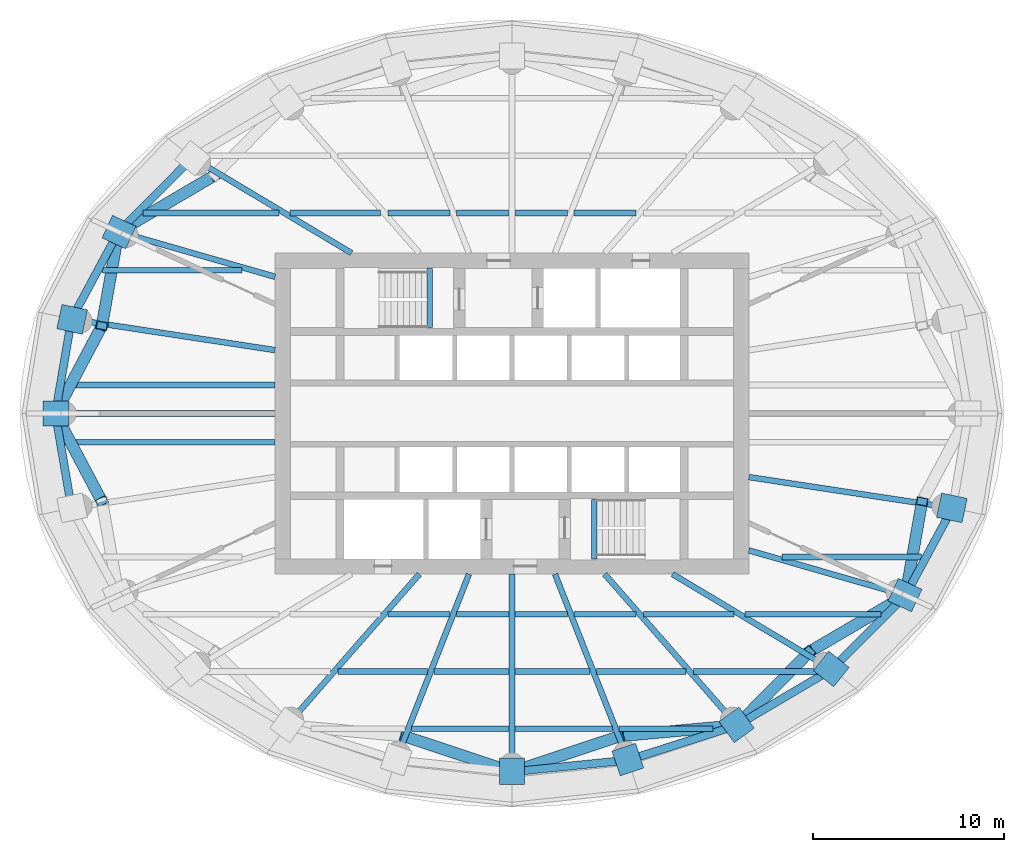
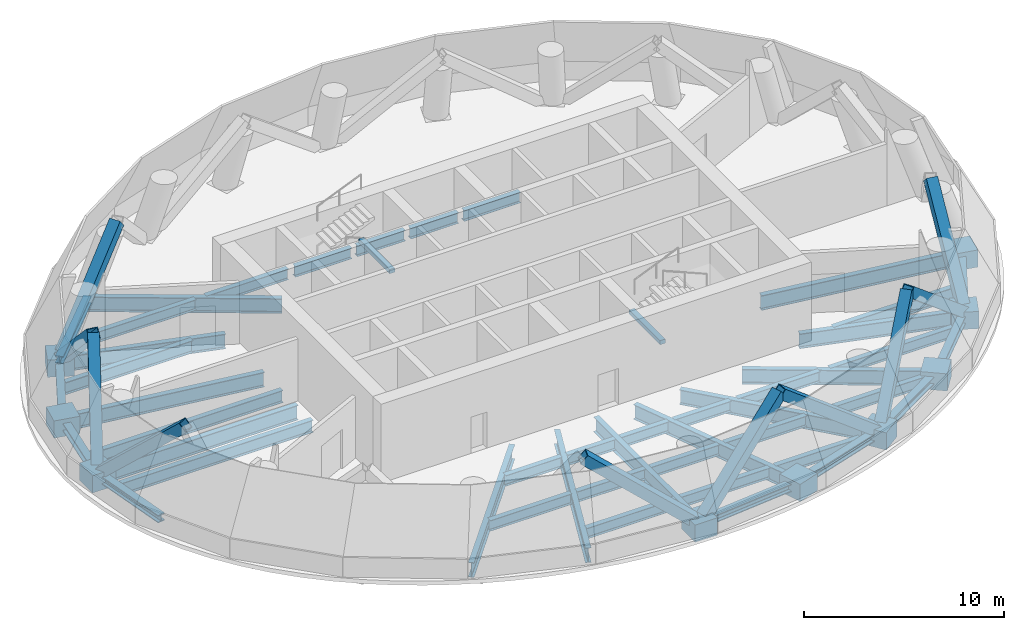
# One storey, part 2 of 7: 56 beams, 10 members.
"""IFC4 building model written with IfcOpenShell, lengths in metres."""

from ifc_helpers import new_model, si_unit, direction, frame, origin, origin_2d, place, context, subcontext, project, spatial, rectangle, hollow_rectangle, i_section, extrude, material, material_profile, profile_set, type_object, element, save


model = new_model("IFC4")

# Units and contexts
model_context = context("Model", 3, precision=1e-05, world=origin(), true_north=direction((0.0, 1.0)))
body_context = subcontext(model_context, "Body", "Model", "MODEL_VIEW")
ifc_project = project(units=[si_unit("LENGTHUNIT", "METRE"), si_unit("AREAUNIT", "SQUARE_METRE"), si_unit("VOLUMEUNIT", "CUBIC_METRE"), si_unit("PLANEANGLEUNIT", "RADIAN"), si_unit("MASSUNIT", "GRAM", prefix="KILO")], contexts=[model_context])

# Site, building, storey
site_placement = place(None, origin())
site = spatial("IfcSite", under=ifc_project, at=site_placement, CompositionType="ELEMENT")
building_placement = place(site_placement, origin())
building = spatial("IfcBuilding", under=site, at=building_placement, Name="Hankou Lantern Tower", CompositionType="ELEMENT")
storey_placement = place(building_placement, frame((0.0, 0.0, 138.60009765625)))
storey = spatial("IfcBuildingStorey", under=building, at=storey_placement, Name="L36", CompositionType="ELEMENT", Elevation=138.60009765625)

# Members
ifc_material_1 = material(Name="Steel Q390GJ", Category="steel")
ifc_material_profile_1 = material_profile(ifc_material_1, hollow_rectangle(XDim=0.60009765625, YDim=0.60009765625, WallThickness=0.0400390625, at=origin_2d()), Name="BOX600x600x40")
ifc_profile_set_1 = profile_set([ifc_material_profile_1], Name="Steel Q390GJ")
member_type = type_object("IfcMemberType", Name="BD1 BELT TRUSS DIAGONAL BOX600x600x40", PredefinedType="BRACE", material=ifc_profile_set_1)
member_1_placement = place(storey_placement, frame((-20.595703125, 9.5126953125, -0.464111328125), z_axis=(0.661347631005, 0.388445233075, 0.6416616023), x_axis=(-0.506455512251, 0.862266092405, 0.0)))
element("IfcMember", 1, at=member_1_placement, inside=storey, type_object=member_type, Name="Belt truss diagonal bay R10 L36", PredefinedType="BRACE", context=body_context, shape_type="SweptSolid", body=[
    extrude(hollow_rectangle(XDim=0.60009765625, YDim=0.60009765625, WallThickness=0.0400390625, at=origin_2d()), origin(), (0.0, 0.0, 1.0), 7.58984375),
])
member_2_placement = place(storey_placement, frame((-20.595703125, 9.5126953125, -0.464111328125), z_axis=(-0.124362724822, -0.7046053677, 0.698616624826), x_axis=(0.984778630802, -0.17381325702, 0.0)))
element("IfcMember", 2, at=member_2_placement, inside=storey, type_object=member_type, Name="Belt truss diagonal bay R11 L36", PredefinedType="BRACE", context=body_context, shape_type="SweptSolid", body=[
    extrude(hollow_rectangle(XDim=0.60009765625, YDim=0.60009765625, WallThickness=0.0400390625, at=origin_2d()), origin(), (0.0, 0.0, 1.0), 6.97119140625),
])
for number, where, z_axis, x_axis, name in (
    (3, (-23.89990234375, 0.0, -0.464111328125), (0.341868121713, 0.645347566232, 0.68311983291), (-0.883666983267, 0.468116078215, 0.0), "Belt truss diagonal bay R12 L36"),
    (4, (-23.89990234375, 0.0, -0.464111328125), (0.341868121713, -0.645347566232, 0.68311983291), (0.883666983267, 0.468116078215, 0.0), "Belt truss diagonal bay R13 L36"),
):
    element("IfcMember", number, at=place(storey_placement, frame(where, z_axis=z_axis, x_axis=x_axis)), inside=storey, type_object=member_type, Name=name, PredefinedType="BRACE", context=body_context, shape_type="SweptSolid", body=[
        extrude(hollow_rectangle(XDim=0.60009765625, YDim=0.60009765625, WallThickness=0.0400390625, at=origin_2d()), origin(), (0.0, 0.0, 1.0), 7.129150390625),
    ])
for number, where, z_axis, x_axis, name in (
    (5, (0.0, -18.75, -0.464111328125), (-0.734822034242, 0.243417336211, 0.633075491883), (-0.314456093252, -0.949272018663, 0.0), "Belt truss diagonal bay R18 L36"),
    (6, (0.0, -18.75, -0.464111328125), (0.734822034242, 0.243417336211, 0.633075491883), (-0.314456093252, 0.949272018663, 0.0), "Belt truss diagonal bay R19 L36"),
):
    element("IfcMember", number, at=place(storey_placement, frame(where, z_axis=z_axis, x_axis=x_axis)), inside=storey, type_object=member_type, Name=name, PredefinedType="BRACE", context=body_context, shape_type="SweptSolid", body=[
        extrude(hollow_rectangle(XDim=0.60009765625, YDim=0.60009765625, WallThickness=0.0400390625, at=origin_2d()), origin(), (0.0, 0.0, 1.0), 7.69287109375),
    ])
member_3_placement = place(storey_placement, frame((11.775390625, -16.31640625, -0.464111328125), z_axis=(-0.780602595424, -0.071529817541, 0.620921148956), x_axis=(0.091251790565, -0.99582785195, 0.0)))
element("IfcMember", 7, at=member_3_placement, inside=storey, type_object=member_type, Name="Belt truss diagonal bay R20 L36", PredefinedType="BRACE", context=body_context, shape_type="SweptSolid", body=[
    extrude(hollow_rectangle(XDim=0.60009765625, YDim=0.60009765625, WallThickness=0.0400390625, at=origin_2d()), origin(), (0.0, 0.0, 1.0), 7.84326171875),
])
member_4_placement = place(storey_placement, frame((11.775390625, -16.31640625, -0.464111328125), z_axis=(0.52193655794, 0.529446436471, 0.668781504225), x_axis=(-0.71213937732, 0.702038109557, 0.0)))
element("IfcMember", 8, at=member_4_placement, inside=storey, type_object=member_type, Name="Belt truss diagonal bay R21 L36", PredefinedType="BRACE", context=body_context, shape_type="SweptSolid", body=[
    extrude(hollow_rectangle(XDim=0.60009765625, YDim=0.60009765625, WallThickness=0.0400390625, at=origin_2d()), origin(), (0.0, 0.0, 1.0), 7.281982421875),
])
member_5_placement = place(storey_placement, frame((20.595703125, -9.5126953125, -0.464111328125), z_axis=(-0.661347631005, -0.388445233075, 0.6416616023), x_axis=(0.506455512251, -0.862266092405, 0.0)))
element("IfcMember", 9, at=member_5_placement, inside=storey, type_object=member_type, Name="Belt truss diagonal bay R22 L36", PredefinedType="BRACE", context=body_context, shape_type="SweptSolid", body=[
    extrude(hollow_rectangle(XDim=0.60009765625, YDim=0.60009765625, WallThickness=0.0400390625, at=origin_2d()), origin(), (0.0, 0.0, 1.0), 7.58984375),
])
member_6_placement = place(storey_placement, frame((20.595703125, -9.5126953125, -0.464111328125), z_axis=(0.124362724822, 0.7046053677, 0.698616624826), x_axis=(-0.984778630802, 0.17381325702, 0.0)))
element("IfcMember", 10, at=member_6_placement, inside=storey, type_object=member_type, Name="Belt truss diagonal bay R23 L36", PredefinedType="BRACE", context=body_context, shape_type="SweptSolid", body=[
    extrude(hollow_rectangle(XDim=0.60009765625, YDim=0.60009765625, WallThickness=0.0400390625, at=origin_2d()), origin(), (0.0, 0.0, 1.0), 6.97119140625),
])

# Beams
ifc_material_2 = material(Name="Steel Q355B", Category="steel")
ifc_material_profile_2 = material_profile(ifc_material_2, i_section(OverallWidth=0.4169921875, OverallDepth=0.4580078125, WebThickness=0.030029296875, FlangeThickness=0.050048828125, FilletRadius=0.02197265625, at=origin_2d()), Name="HW458x417x30x50")
ifc_profile_set_2 = profile_set([ifc_material_profile_2], Name="Steel Q355B")
beam_type_1 = type_object("IfcBeamType", Name="EB21 RING BEAM HW458x417x30x50", PredefinedType="SPANDREL", material=ifc_profile_set_2)
beam_1_placement = place(storey_placement, frame((-16.73388671875, 13.38720703125, -0.47900390625), z_axis=(-0.705945468625, -0.708266189599, 0.0), x_axis=(0.708266189599, -0.705945468625, 0.0)))
element("IfcBeam", 11, at=beam_1_placement, inside=storey, type_object=beam_type_1, Name="Ring beam R10-R11 L36", PredefinedType="SPANDREL", context=body_context, shape_type="SweptSolid", body=[
    extrude(i_section(OverallWidth=0.4169921875, OverallDepth=0.4580078125, WebThickness=0.030029296875, FlangeThickness=0.050048828125, FilletRadius=0.02197265625, at=origin_2d()), origin(), (0.0, 0.0, 1.0), 5.470458984375),
])
beam_2_placement = place(storey_placement, frame((-20.595703125, 9.5126953125, -0.47900390625), z_axis=(-0.473824901673, -0.880619079145, 0.0), x_axis=(0.880619079145, -0.473824901673, 0.0)))
element("IfcBeam", 12, at=beam_2_placement, inside=storey, type_object=beam_type_1, Name="Ring beam R11-R12 L36", PredefinedType="SPANDREL", context=body_context, shape_type="SweptSolid", body=[
    extrude(i_section(OverallWidth=0.4169921875, OverallDepth=0.4580078125, WebThickness=0.030029296875, FlangeThickness=0.050048828125, FilletRadius=0.02197265625, at=origin_2d()), origin(), (0.0, 0.0, 1.0), 5.190185546875),
])
for number, where, z_axis, x_axis, name in (
    (13, (-23.054931640625, 4.942138671875, -0.47900390625), (-0.168527258545, -0.985696993567, 0.0), (0.985696993567, -0.168527258545, 0.0), "Ring beam R12-R13 L36"),
    (14, (-23.89990234375, 0.0, -0.47900390625), (0.168527258545, -0.985696993567, 0.0), (0.985696993567, 0.168527258545, 0.0), "Ring beam R13-R14 L36"),
):
    element("IfcBeam", number, at=place(storey_placement, frame(where, z_axis=z_axis, x_axis=x_axis)), inside=storey, type_object=beam_type_1, Name=name, PredefinedType="SPANDREL", context=body_context, shape_type="SweptSolid", body=[
        extrude(i_section(OverallWidth=0.4169921875, OverallDepth=0.4580078125, WebThickness=0.030029296875, FlangeThickness=0.050048828125, FilletRadius=0.02197265625, at=origin_2d()), origin(), (0.0, 0.0, 1.0), 5.013916015625),
    ])
beam_3_placement = place(storey_placement, frame((0.0, -18.75, -0.47900390625), z_axis=(0.994905271594, 0.100814188259, 0.0), x_axis=(-0.100814188259, 0.994905271594, 0.0)))
element("IfcBeam", 15, at=beam_3_placement, inside=storey, type_object=beam_type_1, Name="Ring beam R19-R20 L36", PredefinedType="SPANDREL", context=body_context, shape_type="SweptSolid", body=[
    extrude(i_section(OverallWidth=0.4169921875, OverallDepth=0.4580078125, WebThickness=0.030029296875, FlangeThickness=0.050048828125, FilletRadius=0.02197265625, at=origin_2d()), origin(), (0.0, 0.0, 1.0), 6.10498046875),
])
beam_4_placement = place(storey_placement, frame((6.073974609375, -18.134521484375, -0.47900390625), z_axis=(0.952731090451, 0.303814860215, 0.0), x_axis=(-0.303814860215, 0.952731090451, 0.0)))
element("IfcBeam", 16, at=beam_4_placement, inside=storey, type_object=beam_type_1, Name="Ring beam R20-R21 L36", PredefinedType="SPANDREL", context=body_context, shape_type="SweptSolid", body=[
    extrude(i_section(OverallWidth=0.4169921875, OverallDepth=0.4580078125, WebThickness=0.030029296875, FlangeThickness=0.050048828125, FilletRadius=0.02197265625, at=origin_2d()), origin(), (0.0, 0.0, 1.0), 5.984375),
])
beam_5_placement = place(storey_placement, frame((11.775390625, -16.31640625, -0.47900390625), z_axis=(0.860988974188, 0.508623619513, 0.0), x_axis=(-0.508623619513, 0.860988974188, 0.0)))
element("IfcBeam", 17, at=beam_5_placement, inside=storey, type_object=beam_type_1, Name="Ring beam R21-R22 L36", PredefinedType="SPANDREL", context=body_context, shape_type="SweptSolid", body=[
    extrude(i_section(OverallWidth=0.4169921875, OverallDepth=0.4580078125, WebThickness=0.030029296875, FlangeThickness=0.050048828125, FilletRadius=0.02197265625, at=origin_2d()), origin(), (0.0, 0.0, 1.0), 5.759033203125),
])
beam_6_placement = place(storey_placement, frame((16.73388671875, -13.38720703125, -0.47900390625), z_axis=(0.705945468625, 0.708266189599, 0.0), x_axis=(-0.708266189599, 0.705945468625, 0.0)))
element("IfcBeam", 18, at=beam_6_placement, inside=storey, type_object=beam_type_1, Name="Ring beam R22-R23 L36", PredefinedType="SPANDREL", context=body_context, shape_type="SweptSolid", body=[
    extrude(i_section(OverallWidth=0.4169921875, OverallDepth=0.4580078125, WebThickness=0.030029296875, FlangeThickness=0.050048828125, FilletRadius=0.02197265625, at=origin_2d()), origin(), (0.0, 0.0, 1.0), 5.470458984375),
])
beam_7_placement = place(storey_placement, frame((20.595703125, -9.5126953125, -0.47900390625), z_axis=(0.473824901673, 0.880619079145, 0.0), x_axis=(-0.880619079145, 0.473824901673, 0.0)))
element("IfcBeam", 19, at=beam_7_placement, inside=storey, type_object=beam_type_1, Name="Ring beam R23-R24 L36", PredefinedType="SPANDREL", context=body_context, shape_type="SweptSolid", body=[
    extrude(i_section(OverallWidth=0.4169921875, OverallDepth=0.4580078125, WebThickness=0.030029296875, FlangeThickness=0.050048828125, FilletRadius=0.02197265625, at=origin_2d()), origin(), (0.0, 0.0, 1.0), 5.190185546875),
])
ifc_material_3 = material(Name="Concrete C40", Category="concrete")
ifc_material_profile_3 = material_profile(ifc_material_3, rectangle(XDim=0.300048828125, YDim=0.25, at=origin_2d()), Name="RC 300x250")
ifc_profile_set_3 = profile_set([ifc_material_profile_3], Name="Concrete C40")
beam_type_2 = type_object("IfcBeamType", Name="LB1 STAIR LANDING BEAM RC 300x250", PredefinedType="BEAM", material=ifc_profile_set_3)
for number, where, z_axis, x_axis, name in (
    (20, (-4.300048828125, 4.5, 2.27490234375), (0.0, 1.0, 0.0), (-1.0, 0.0, 0.0), "Stair STA landing beam L36"),
    (21, (4.300048828125, -4.5, 2.27490234375), (0.0, -1.0, 0.0), (1.0, 0.0, 0.0), "Stair STB landing beam L36"),
):
    element("IfcBeam", number, at=place(storey_placement, frame(where, z_axis=z_axis, x_axis=x_axis)), inside=storey, type_object=beam_type_2, Name=name, PredefinedType="BEAM", context=body_context, shape_type="SweptSolid", body=[
        extrude(rectangle(XDim=0.300048828125, YDim=0.25, at=origin_2d()), origin(), (0.0, 0.0, 1.0), 3.10009765625),
    ])
ifc_material_4 = material(Name="Steel Q355B", Category="steel")
ifc_material_profile_4 = material_profile(ifc_material_4, i_section(OverallWidth=0.300048828125, OverallDepth=0.89990234375, WebThickness=0.01611328125, FlangeThickness=0.028076171875, FilletRadius=0.01806640625, at=origin_2d()), Name="HN900x300x16x28")
ifc_profile_set_4 = profile_set([ifc_material_profile_4], Name="Steel Q355B")
beam_type_3 = type_object("IfcBeamType", Name="RB13 RADIAL BEAM HN900x300x16x28", PredefinedType="BEAM", material=ifc_profile_set_4)
beam_8_placement = place(storey_placement, frame((-8.39990234375, 8.39990234375, -0.7001953125), z_axis=(-0.858086776551, 0.513504706802, 0.0), x_axis=(-0.513504706802, -0.858086776551, 0.0)))
element("IfcBeam", 22, at=beam_8_placement, inside=storey, type_object=beam_type_3, Name="Radial beam R10 L36", PredefinedType="BEAM", context=body_context, shape_type="SweptSolid", body=[
    extrude(i_section(OverallWidth=0.300048828125, OverallDepth=0.89990234375, WebThickness=0.01611328125, FlangeThickness=0.028076171875, FilletRadius=0.01806640625, at=origin_2d()), origin(), (0.0, 0.0, 1.0), 9.71240234375),
])
beam_9_placement = place(storey_placement, frame((-12.39990234375, 7.1591796875, -0.7001953125), z_axis=(-0.961155741911, 0.276006593745, 0.0), x_axis=(-0.276006593745, -0.961155741911, 0.0)))
element("IfcBeam", 23, at=beam_9_placement, inside=storey, type_object=beam_type_3, Name="Radial beam R11 L36", PredefinedType="BEAM", context=body_context, shape_type="SweptSolid", body=[
    extrude(i_section(OverallWidth=0.300048828125, OverallDepth=0.89990234375, WebThickness=0.01611328125, FlangeThickness=0.028076171875, FilletRadius=0.01806640625, at=origin_2d()), origin(), (0.0, 0.0, 1.0), 8.527099609375),
])
beam_10_placement = place(storey_placement, frame((-12.39990234375, 3.322509765625, -0.7001953125), z_axis=(-0.988643506875, 0.150279793429, 0.0), x_axis=(-0.150279793429, -0.988643506875, 0.0)))
element("IfcBeam", 24, at=beam_10_placement, inside=storey, type_object=beam_type_3, Name="Radial beam R12 L36", PredefinedType="BEAM", context=body_context, shape_type="SweptSolid", body=[
    extrude(i_section(OverallWidth=0.300048828125, OverallDepth=0.89990234375, WebThickness=0.01611328125, FlangeThickness=0.028076171875, FilletRadius=0.01806640625, at=origin_2d()), origin(), (0.0, 0.0, 1.0), 10.77734375),
])
beam_11_placement = place(storey_placement, frame((-12.39990234375, 0.0, -0.7001953125), z_axis=(-1.0, 0.0, 0.0), x_axis=(0.0, -1.0, 0.0)))
element("IfcBeam", 25, at=beam_11_placement, inside=storey, type_object=beam_type_3, Name="Radial beam R13 L36", PredefinedType="BEAM", context=body_context, shape_type="SweptSolid", body=[
    extrude(i_section(OverallWidth=0.300048828125, OverallDepth=0.89990234375, WebThickness=0.01611328125, FlangeThickness=0.028076171875, FilletRadius=0.01806640625, at=origin_2d()), origin(), (0.0, 0.0, 1.0), 11.5),
])
beam_12_placement = place(storey_placement, frame((-4.849853515625, -8.39990234375, -0.7001953125), z_axis=(-0.658429014446, -0.752642832249, 0.0), x_axis=(0.752642832249, -0.658429014446, 0.0)))
element("IfcBeam", 26, at=beam_12_placement, inside=storey, type_object=beam_type_3, Name="Radial beam R17 L36", PredefinedType="BEAM", context=body_context, shape_type="SweptSolid", body=[
    extrude(i_section(OverallWidth=0.300048828125, OverallDepth=0.89990234375, WebThickness=0.01611328125, FlangeThickness=0.028076171875, FilletRadius=0.01806640625, at=origin_2d()), origin(), (0.0, 0.0, 1.0), 10.518310546875),
])
beam_13_placement = place(storey_placement, frame((-2.250732421875, -8.39990234375, -0.7001953125), z_axis=(-0.365563535437, -0.930786388791, 0.0), x_axis=(0.930786388791, -0.365563535437, 0.0)))
element("IfcBeam", 27, at=beam_13_placement, inside=storey, type_object=beam_type_3, Name="Radial beam R18 L36", PredefinedType="BEAM", context=body_context, shape_type="SweptSolid", body=[
    extrude(i_section(OverallWidth=0.300048828125, OverallDepth=0.89990234375, WebThickness=0.01611328125, FlangeThickness=0.028076171875, FilletRadius=0.01806640625, at=origin_2d()), origin(), (0.0, 0.0, 1.0), 10.45849609375),
])
beam_14_placement = place(storey_placement, frame((0.0, -8.39990234375, -0.7001953125), z_axis=(0.0, -1.0, 0.0), x_axis=(1.0, 0.0, 0.0)))
element("IfcBeam", 28, at=beam_14_placement, inside=storey, type_object=beam_type_3, Name="Radial beam R19 L36", PredefinedType="BEAM", context=body_context, shape_type="SweptSolid", body=[
    extrude(i_section(OverallWidth=0.300048828125, OverallDepth=0.89990234375, WebThickness=0.01611328125, FlangeThickness=0.028076171875, FilletRadius=0.01806640625, at=origin_2d()), origin(), (0.0, 0.0, 1.0), 10.35009765625),
])
beam_15_placement = place(storey_placement, frame((2.250732421875, -8.39990234375, -0.7001953125), z_axis=(0.365563535437, -0.930786388791, 0.0), x_axis=(0.930786388791, 0.365563535437, 0.0)))
element("IfcBeam", 29, at=beam_15_placement, inside=storey, type_object=beam_type_3, Name="Radial beam R20 L36", PredefinedType="BEAM", context=body_context, shape_type="SweptSolid", body=[
    extrude(i_section(OverallWidth=0.300048828125, OverallDepth=0.89990234375, WebThickness=0.01611328125, FlangeThickness=0.028076171875, FilletRadius=0.01806640625, at=origin_2d()), origin(), (0.0, 0.0, 1.0), 10.45849609375),
])
beam_16_placement = place(storey_placement, frame((4.849853515625, -8.39990234375, -0.7001953125), z_axis=(0.658429014446, -0.752642832249, 0.0), x_axis=(0.752642832249, 0.658429014446, 0.0)))
element("IfcBeam", 30, at=beam_16_placement, inside=storey, type_object=beam_type_3, Name="Radial beam R21 L36", PredefinedType="BEAM", context=body_context, shape_type="SweptSolid", body=[
    extrude(i_section(OverallWidth=0.300048828125, OverallDepth=0.89990234375, WebThickness=0.01611328125, FlangeThickness=0.028076171875, FilletRadius=0.01806640625, at=origin_2d()), origin(), (0.0, 0.0, 1.0), 10.518310546875),
])
beam_17_placement = place(storey_placement, frame((8.39990234375, -8.39990234375, -0.7001953125), z_axis=(0.858086776551, -0.513504706802, 0.0), x_axis=(0.513504706802, 0.858086776551, 0.0)))
element("IfcBeam", 31, at=beam_17_placement, inside=storey, type_object=beam_type_3, Name="Radial beam R22 L36", PredefinedType="BEAM", context=body_context, shape_type="SweptSolid", body=[
    extrude(i_section(OverallWidth=0.300048828125, OverallDepth=0.89990234375, WebThickness=0.01611328125, FlangeThickness=0.028076171875, FilletRadius=0.01806640625, at=origin_2d()), origin(), (0.0, 0.0, 1.0), 9.71240234375),
])
beam_18_placement = place(storey_placement, frame((12.39990234375, -7.1591796875, -0.7001953125), z_axis=(0.961155741911, -0.276006593745, 0.0), x_axis=(0.276006593745, 0.961155741911, 0.0)))
element("IfcBeam", 32, at=beam_18_placement, inside=storey, type_object=beam_type_3, Name="Radial beam R23 L36", PredefinedType="BEAM", context=body_context, shape_type="SweptSolid", body=[
    extrude(i_section(OverallWidth=0.300048828125, OverallDepth=0.89990234375, WebThickness=0.01611328125, FlangeThickness=0.028076171875, FilletRadius=0.01806640625, at=origin_2d()), origin(), (0.0, 0.0, 1.0), 8.527099609375),
])
beam_19_placement = place(storey_placement, frame((12.39990234375, -3.322509765625, -0.7001953125), z_axis=(0.988643506875, -0.150279793429, 0.0), x_axis=(0.150279793429, 0.988643506875, 0.0)))
element("IfcBeam", 33, at=beam_19_placement, inside=storey, type_object=beam_type_3, Name="Radial beam R24 L36", PredefinedType="BEAM", context=body_context, shape_type="SweptSolid", body=[
    extrude(i_section(OverallWidth=0.300048828125, OverallDepth=0.89990234375, WebThickness=0.01611328125, FlangeThickness=0.028076171875, FilletRadius=0.01806640625, at=origin_2d()), origin(), (0.0, 0.0, 1.0), 10.77734375),
])
ifc_material_5 = material(Name="Steel Q355B", Category="steel")
ifc_material_profile_5 = material_profile(ifc_material_5, i_section(OverallWidth=0.300048828125, OverallDepth=0.75, WebThickness=0.012939453125, FlangeThickness=0.02392578125, FilletRadius=0.01806640625, at=origin_2d()), Name="HN750x300x13x24")
ifc_profile_set_5 = profile_set([ifc_material_profile_5], Name="Steel Q355B")
beam_type_4 = type_object("IfcBeamType", Name="SB10 SECONDARY BEAM HN750x300x13x24", PredefinedType="JOIST", material=ifc_profile_set_5)
beam_20_placement = place(storey_placement, frame((14.13037109375, -7.5, -0.625), z_axis=(1.0, 0.0, 0.0), x_axis=(0.0, 1.0, 0.0)))
element("IfcBeam", 34, at=beam_20_placement, inside=storey, type_object=beam_type_4, Name="Floor joist J020 L36", PredefinedType="JOIST", context=body_context, shape_type="SweptSolid", body=[
    extrude(i_section(OverallWidth=0.300048828125, OverallDepth=0.75, WebThickness=0.012939453125, FlangeThickness=0.02392578125, FilletRadius=0.01806640625, at=origin_2d()), origin(), (0.0, 0.0, 1.0), 7.3115234375),
])
for number, where, z_axis, x_axis, name in (
    (35, (-23.431884765625, -1.5, -0.625), (1.0, 0.0, 0.0), (0.0, 1.0, 0.0), "Floor joist J025 L36"),
    (36, (-23.431884765625, 1.5, -0.625), (1.0, 0.0, 0.0), (0.0, 1.0, 0.0), "Floor joist J027 L36"),
):
    element("IfcBeam", number, at=place(storey_placement, frame(where, z_axis=z_axis, x_axis=x_axis)), inside=storey, type_object=beam_type_4, Name=name, PredefinedType="JOIST", context=body_context, shape_type="SweptSolid", body=[
        extrude(i_section(OverallWidth=0.300048828125, OverallDepth=0.75, WebThickness=0.012939453125, FlangeThickness=0.02392578125, FilletRadius=0.01806640625, at=origin_2d()), origin(), (0.0, 0.0, 1.0), 11.031982421875),
    ])
beam_21_placement = place(storey_placement, frame((-21.44189453125, 7.5, -0.625), z_axis=(1.0, 0.0, 0.0), x_axis=(0.0, 1.0, 0.0)))
element("IfcBeam", 37, at=beam_21_placement, inside=storey, type_object=beam_type_4, Name="Floor joist J033 L36", PredefinedType="JOIST", context=body_context, shape_type="SweptSolid", body=[
    extrude(i_section(OverallWidth=0.300048828125, OverallDepth=0.75, WebThickness=0.012939453125, FlangeThickness=0.02392578125, FilletRadius=0.01806640625, at=origin_2d()), origin(), (0.0, 0.0, 1.0), 7.3115234375),
])
ifc_material_6 = material(Name="Steel Q355B", Category="steel")
ifc_material_profile_6 = material_profile(ifc_material_6, i_section(OverallWidth=0.300048828125, OverallDepth=0.64990234375, WebThickness=0.010986328125, FlangeThickness=0.01708984375, FilletRadius=0.01806640625, at=origin_2d()), Name="HN650x300x11x17")
ifc_profile_set_6 = profile_set([ifc_material_profile_6], Name="Steel Q355B")
beam_type_5 = type_object("IfcBeamType", Name="SB8 SECONDARY BEAM HN650x300x11x17", PredefinedType="JOIST", material=ifc_profile_set_6)
for number, where, z_axis, x_axis, name in (
    (38, (-5.270751953125, -16.5, -0.5751953125), (1.0, 0.0, 0.0), (0.0, 1.0, 0.0), "Floor joist J002 L36"),
    (39, (0.14990234375, -16.5, -0.5751953125), (1.0, 0.0, 0.0), (0.0, 1.0, 0.0), "Floor joist J003 L36"),
):
    element("IfcBeam", number, at=place(storey_placement, frame(where, z_axis=z_axis, x_axis=x_axis)), inside=storey, type_object=beam_type_5, Name=name, PredefinedType="JOIST", context=body_context, shape_type="SweptSolid", body=[
        extrude(i_section(OverallWidth=0.300048828125, OverallDepth=0.64990234375, WebThickness=0.010986328125, FlangeThickness=0.01708984375, FilletRadius=0.01806640625, at=origin_2d()), origin(), (0.0, 0.0, 1.0), 5.120849609375),
    ])
beam_22_placement = place(storey_placement, frame((5.59326171875, -16.5, -0.5751953125), z_axis=(1.0, 0.0, 0.0), x_axis=(0.0, 1.0, 0.0)))
element("IfcBeam", 40, at=beam_22_placement, inside=storey, type_object=beam_type_5, Name="Floor joist J004 L36", PredefinedType="JOIST", context=body_context, shape_type="SweptSolid", body=[
    extrude(i_section(OverallWidth=0.300048828125, OverallDepth=0.64990234375, WebThickness=0.010986328125, FlangeThickness=0.01708984375, FilletRadius=0.01806640625, at=origin_2d()), origin(), (0.0, 0.0, 1.0), 4.919677734375),
])
beam_23_placement = place(storey_placement, frame((-9.112060546875, -13.5, -0.5751953125), z_axis=(1.0, 0.0, 0.0), x_axis=(0.0, 1.0, 0.0)))
element("IfcBeam", 41, at=beam_23_placement, inside=storey, type_object=beam_type_5, Name="Floor joist J006 L36", PredefinedType="JOIST", context=body_context, shape_type="SweptSolid", body=[
    extrude(i_section(OverallWidth=0.300048828125, OverallDepth=0.64990234375, WebThickness=0.010986328125, FlangeThickness=0.01708984375, FilletRadius=0.01806640625, at=origin_2d()), origin(), (0.0, 0.0, 1.0), 4.697021484375),
])
for number, where, z_axis, x_axis, name in (
    (42, (-4.092529296875, -13.5, -0.5751953125), (1.0, 0.0, 0.0), (0.0, 1.0, 0.0), "Floor joist J007 L36"),
    (43, (0.14990234375, -13.5, -0.5751953125), (1.0, 0.0, 0.0), (0.0, 1.0, 0.0), "Floor joist J008 L36"),
):
    element("IfcBeam", number, at=place(storey_placement, frame(where, z_axis=z_axis, x_axis=x_axis)), inside=storey, type_object=beam_type_5, Name=name, PredefinedType="JOIST", context=body_context, shape_type="SweptSolid", body=[
        extrude(i_section(OverallWidth=0.300048828125, OverallDepth=0.64990234375, WebThickness=0.010986328125, FlangeThickness=0.01708984375, FilletRadius=0.01806640625, at=origin_2d()), origin(), (0.0, 0.0, 1.0), 3.942626953125),
    ])
beam_24_placement = place(storey_placement, frame((4.4150390625, -13.5, -0.5751953125), z_axis=(1.0, 0.0, 0.0), x_axis=(0.0, 1.0, 0.0)))
element("IfcBeam", 44, at=beam_24_placement, inside=storey, type_object=beam_type_5, Name="Floor joist J009 L36", PredefinedType="JOIST", context=body_context, shape_type="SweptSolid", body=[
    extrude(i_section(OverallWidth=0.300048828125, OverallDepth=0.64990234375, WebThickness=0.010986328125, FlangeThickness=0.01708984375, FilletRadius=0.01806640625, at=origin_2d()), origin(), (0.0, 0.0, 1.0), 4.697021484375),
])
beam_25_placement = place(storey_placement, frame((9.5107421875, -13.5, -0.5751953125), z_axis=(1.0, 0.0, 0.0), x_axis=(0.0, 1.0, 0.0)))
element("IfcBeam", 45, at=beam_25_placement, inside=storey, type_object=beam_type_5, Name="Floor joist J010 L36", PredefinedType="JOIST", context=body_context, shape_type="SweptSolid", body=[
    extrude(i_section(OverallWidth=0.300048828125, OverallDepth=0.64990234375, WebThickness=0.010986328125, FlangeThickness=0.01708984375, FilletRadius=0.01806640625, at=origin_2d()), origin(), (0.0, 0.0, 1.0), 6.622314453125),
])
beam_26_placement = place(storey_placement, frame((-6.487548828125, -10.5, -0.5751953125), z_axis=(1.0, 0.0, 0.0), x_axis=(0.0, 1.0, 0.0)))
element("IfcBeam", 46, at=beam_26_placement, inside=storey, type_object=beam_type_5, Name="Floor joist J013 L36", PredefinedType="JOIST", context=body_context, shape_type="SweptSolid", body=[
    extrude(i_section(OverallWidth=0.300048828125, OverallDepth=0.64990234375, WebThickness=0.010986328125, FlangeThickness=0.01708984375, FilletRadius=0.01806640625, at=origin_2d()), origin(), (0.0, 0.0, 1.0), 3.2509765625),
])
for number, where, z_axis, x_axis, name in (
    (47, (-2.914306640625, -10.5, -0.5751953125), (1.0, 0.0, 0.0), (0.0, 1.0, 0.0), "Floor joist J014 L36"),
    (48, (0.14990234375, -10.5, -0.5751953125), (1.0, 0.0, 0.0), (0.0, 1.0, 0.0), "Floor joist J015 L36"),
):
    element("IfcBeam", number, at=place(storey_placement, frame(where, z_axis=z_axis, x_axis=x_axis)), inside=storey, type_object=beam_type_5, Name=name, PredefinedType="JOIST", context=body_context, shape_type="SweptSolid", body=[
        extrude(i_section(OverallWidth=0.300048828125, OverallDepth=0.64990234375, WebThickness=0.010986328125, FlangeThickness=0.01708984375, FilletRadius=0.01806640625, at=origin_2d()), origin(), (0.0, 0.0, 1.0), 2.764404296875),
    ])
beam_27_placement = place(storey_placement, frame((3.236572265625, -10.5, -0.5751953125), z_axis=(1.0, 0.0, 0.0), x_axis=(0.0, 1.0, 0.0)))
element("IfcBeam", 49, at=beam_27_placement, inside=storey, type_object=beam_type_5, Name="Floor joist J016 L36", PredefinedType="JOIST", context=body_context, shape_type="SweptSolid", body=[
    extrude(i_section(OverallWidth=0.300048828125, OverallDepth=0.64990234375, WebThickness=0.010986328125, FlangeThickness=0.01708984375, FilletRadius=0.01806640625, at=origin_2d()), origin(), (0.0, 0.0, 1.0), 3.2509765625),
])
beam_28_placement = place(storey_placement, frame((6.88623046875, -10.5, -0.5751953125), z_axis=(1.0, 0.0, 0.0), x_axis=(0.0, 1.0, 0.0)))
element("IfcBeam", 50, at=beam_28_placement, inside=storey, type_object=beam_type_5, Name="Floor joist J017 L36", PredefinedType="JOIST", context=body_context, shape_type="SweptSolid", body=[
    extrude(i_section(OverallWidth=0.300048828125, OverallDepth=0.64990234375, WebThickness=0.010986328125, FlangeThickness=0.01708984375, FilletRadius=0.01806640625, at=origin_2d()), origin(), (0.0, 0.0, 1.0), 4.73095703125),
])
for number, where, z_axis, x_axis, name in (
    (51, (12.201416015625, -10.5, -0.5751953125), (1.0, 0.0, 0.0), (0.0, 1.0, 0.0), "Floor joist J018 L36"),
    (52, (-19.317138671875, 10.5, -0.5751953125), (1.0, 0.0, 0.0), (0.0, 1.0, 0.0), "Floor joist J035 L36"),
):
    element("IfcBeam", number, at=place(storey_placement, frame(where, z_axis=z_axis, x_axis=x_axis)), inside=storey, type_object=beam_type_5, Name=name, PredefinedType="JOIST", context=body_context, shape_type="SweptSolid", body=[
        extrude(i_section(OverallWidth=0.300048828125, OverallDepth=0.64990234375, WebThickness=0.010986328125, FlangeThickness=0.01708984375, FilletRadius=0.01806640625, at=origin_2d()), origin(), (0.0, 0.0, 1.0), 7.11572265625),
    ])
beam_29_placement = place(storey_placement, frame((-11.6171875, 10.5, -0.5751953125), z_axis=(1.0, 0.0, 0.0), x_axis=(0.0, 1.0, 0.0)))
element("IfcBeam", 53, at=beam_29_placement, inside=storey, type_object=beam_type_5, Name="Floor joist J036 L36", PredefinedType="JOIST", context=body_context, shape_type="SweptSolid", body=[
    extrude(i_section(OverallWidth=0.300048828125, OverallDepth=0.64990234375, WebThickness=0.010986328125, FlangeThickness=0.01708984375, FilletRadius=0.01806640625, at=origin_2d()), origin(), (0.0, 0.0, 1.0), 4.73095703125),
])
beam_30_placement = place(storey_placement, frame((-6.487548828125, 10.5, -0.5751953125), z_axis=(1.0, 0.0, 0.0), x_axis=(0.0, 1.0, 0.0)))
element("IfcBeam", 54, at=beam_30_placement, inside=storey, type_object=beam_type_5, Name="Floor joist J037 L36", PredefinedType="JOIST", context=body_context, shape_type="SweptSolid", body=[
    extrude(i_section(OverallWidth=0.300048828125, OverallDepth=0.64990234375, WebThickness=0.010986328125, FlangeThickness=0.01708984375, FilletRadius=0.01806640625, at=origin_2d()), origin(), (0.0, 0.0, 1.0), 3.2509765625),
])
for number, where, z_axis, x_axis, name in (
    (55, (-2.914306640625, 10.5, -0.5751953125), (1.0, 0.0, 0.0), (0.0, 1.0, 0.0), "Floor joist J038 L36"),
    (56, (0.14990234375, 10.5, -0.5751953125), (1.0, 0.0, 0.0), (0.0, 1.0, 0.0), "Floor joist J039 L36"),
):
    element("IfcBeam", number, at=place(storey_placement, frame(where, z_axis=z_axis, x_axis=x_axis)), inside=storey, type_object=beam_type_5, Name=name, PredefinedType="JOIST", context=body_context, shape_type="SweptSolid", body=[
        extrude(i_section(OverallWidth=0.300048828125, OverallDepth=0.64990234375, WebThickness=0.010986328125, FlangeThickness=0.01708984375, FilletRadius=0.01806640625, at=origin_2d()), origin(), (0.0, 0.0, 1.0), 2.764404296875),
    ])
beam_31_placement = place(storey_placement, frame((3.236572265625, 10.5, -0.5751953125), z_axis=(1.0, 0.0, 0.0), x_axis=(0.0, 1.0, 0.0)))
element("IfcBeam", 57, at=beam_31_placement, inside=storey, type_object=beam_type_5, Name="Floor joist J040 L36", PredefinedType="JOIST", context=body_context, shape_type="SweptSolid", body=[
    extrude(i_section(OverallWidth=0.300048828125, OverallDepth=0.64990234375, WebThickness=0.010986328125, FlangeThickness=0.01708984375, FilletRadius=0.01806640625, at=origin_2d()), origin(), (0.0, 0.0, 1.0), 3.2509765625),
])
ifc_material_7 = material(Name="Concrete C60", Category="concrete")
ifc_material_profile_7 = material_profile(ifc_material_7, rectangle(XDim=1.300048828125, YDim=1.050048828125, at=origin_2d()), Name="RC 1300x1050")
ifc_profile_set_7 = profile_set([ifc_material_profile_7], Name="Concrete C60")
beam_type_6 = type_object("IfcBeamType", Name="TN2 TRANSFER NODE RC 1300x1050", PredefinedType="BEAM", material=ifc_profile_set_7)
for number, where, z_axis, x_axis, name in (
    (58, (-21.185791015625, 9.785400390625, -0.525146484375), (0.907807526406, -0.419387046773, 0.0), (0.419387046773, 0.907807526406, 0.0), "Transfer node R11 L36"),
    (59, (-23.6904296875, 5.078369140625, -0.525146484375), (0.977784088911, -0.209614587928, 0.0), (0.209614587928, 0.977784088911, 0.0), "Transfer node R12 L36"),
    (60, (-24.550048828125, 0.0, -0.525146484375), (1.0, 0.0, 0.0), (0.0, 1.0, 0.0), "Transfer node R13 L36"),
    (61, (0.0, -19.39990234375, -0.525146484375), (0.0, 1.0, 0.0), (-1.0, 0.0, 0.0), "Transfer node R19 L36"),
    (62, (6.2802734375, -18.750732421875, -0.525146484375), (-0.317676258539, 0.948199237903, 0.0), (-0.948199237903, -0.317676258539, 0.0), "Transfer node R20 L36"),
    (63, (12.15576171875, -16.843505859375, -0.525146484375), (-0.585190136346, 0.810896111918, 0.0), (-0.810896111918, -0.585190136346, 0.0), "Transfer node R21 L36"),
    (64, (17.241455078125, -13.793212890625, -0.525146484375), (-0.780851360531, 0.62471685807, 0.0), (-0.62471685807, -0.780851360531, 0.0), "Transfer node R22 L36"),
    (65, (21.185791015625, -9.785400390625, -0.525146484375), (-0.907807526406, 0.419387046773, 0.0), (-0.419387046773, -0.907807526406, 0.0), "Transfer node R23 L36"),
    (66, (23.6904296875, -5.078369140625, -0.525146484375), (-0.977784088911, 0.209614587928, 0.0), (-0.209614587928, -0.977784088911, 0.0), "Transfer node R24 L36"),
):
    element("IfcBeam", number, at=place(storey_placement, frame(where, z_axis=z_axis, x_axis=x_axis)), inside=storey, type_object=beam_type_6, Name=name, PredefinedType="BEAM", context=body_context, shape_type="SweptSolid", body=[
        extrude(rectangle(XDim=1.300048828125, YDim=1.050048828125, at=origin_2d()), origin(), (0.0, 0.0, 1.0), 1.364990234375),
    ])

save(model, "model.ifc")
